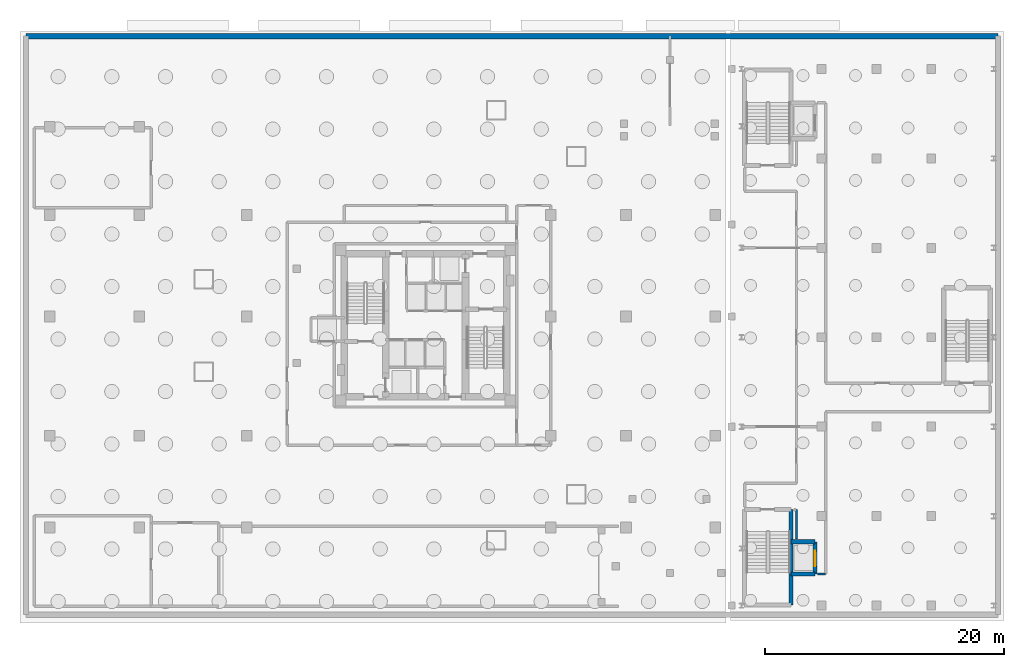
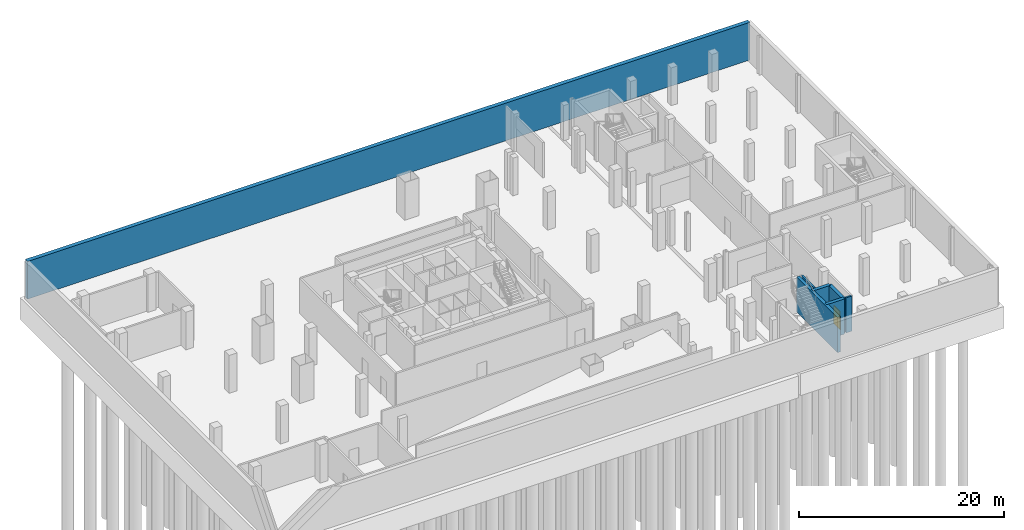
# One storey, part 10 of 15: 7 walls, 1 door, 1 opening.
"""IFC4 building model written with IfcOpenShell, lengths in metres."""

from ifc_helpers import new_model, si_unit, direction, frame, frame_2d, origin, place, context, subcontext, project, spatial, rectangle, extrude, material, layer, layer_set, type_object, element, fill, save


model = new_model("IFC4")

# Units and contexts
model_context = context("Model", 3, precision=1e-05, world=origin(), true_north=direction((0.0, 1.0)))
body_context = subcontext(model_context, "Body", "Model", "MODEL_VIEW")
ifc_project = project(units=[si_unit("LENGTHUNIT", "METRE"), si_unit("AREAUNIT", "SQUARE_METRE"), si_unit("VOLUMEUNIT", "CUBIC_METRE"), si_unit("PLANEANGLEUNIT", "RADIAN"), si_unit("MASSUNIT", "GRAM", prefix="KILO")], contexts=[model_context])

# Site, building, storey
site_placement = place(None, origin())
site = spatial("IfcSite", under=ifc_project, at=site_placement, CompositionType="ELEMENT")
building_placement = place(site_placement, origin())
building = spatial("IfcBuilding", under=site, at=building_placement, Name="Mersakhor Tower and Convention Hall", CompositionType="ELEMENT")
storey_placement = place(building_placement, frame((0.0, 0.0, -9.0)))
storey = spatial("IfcBuildingStorey", under=building, at=storey_placement, Name="B02", CompositionType="ELEMENT", Elevation=-9.0)

# Walls
ifc_material_1 = material(Name="Acoustic concrete blockwork and gypsum board", Category="masonry")
ifc_layer_1 = layer(ifc_material_1, 0.199951171875)
ifc_layer_set_1 = layer_set([ifc_layer_1], Name="Acoustic concrete blockwork and gypsum board")
wall_type_1 = type_object("IfcWallType", Name="WL-PRT-200", PredefinedType="PARTITIONING", material=ifc_layer_set_1)
wall_1_placement = place(storey_placement, frame((62.52001953125, 5.89990234375, 0.0), z_axis=(0.0, 0.0, 1.0), x_axis=(-1.0, 0.0, 0.0)))
element("IfcWall", 1, at=wall_1_placement, inside=storey, type_object=wall_type_1, Name="B02 Interior Partition Wall P-045", PredefinedType="PARTITIONING", context=body_context, shape_type="SweptSolid", body=[
    extrude(rectangle(XDim=0.64501953125, YDim=0.199951171875, at=frame_2d((0.322509765625, 0.0))), origin(), (0.0, 0.0, 1.0), 4.199951171875),
])
wall_2_placement = place(storey_placement, frame((60.10009765625, 8.824951171875, 0.0), z_axis=(0.0, 0.0, 1.0), x_axis=(0.0, 1.0, 0.0)))
element("IfcWall", 2, at=wall_2_placement, inside=storey, type_object=wall_type_1, Name="B02 Interior Partition Wall P-046", PredefinedType="PARTITIONING", context=body_context, shape_type="SweptSolid", body=[
    extrude(rectangle(XDim=2.47509765625, YDim=0.199951171875, at=frame_2d((1.237548828125, 0.0))), origin(), (0.0, 0.0, 1.0), 4.199951171875),
])
ifc_material_2 = material(Name="Concrete C45/55", Category="concrete")
ifc_layer_2 = layer(ifc_material_2, 0.449951171875)
ifc_layer_set_2 = layer_set([ifc_layer_2], Name="Concrete C45/55")
wall_type_2 = type_object("IfcWallType", Name="WL-RET-450", PredefinedType="USERDEFINED", material=ifc_layer_set_2)
wall_3_placement = place(storey_placement, frame((77.0, 51.0, 0.0), z_axis=(0.0, 0.0, 1.0), x_axis=(-1.0, 0.0, 0.0)))
element("IfcWall", 3, at=wall_3_placement, inside=storey, type_object=wall_type_2, Name="B02 Perimeter Retaining Wall N", ObjectType="RETAININGWALL", PredefinedType="USERDEFINED", context=body_context, shape_type="SweptSolid", body=[
    extrude(rectangle(XDim=81.5, YDim=0.449951171875, at=frame_2d((40.75, 0.0))), origin(), (0.0, 0.0, 1.0), 4.5),
])

# Wall, opening, door
ifc_material_3 = material(Name="Concrete C50/60", Category="concrete")
ifc_layer_3 = layer(ifc_material_3, 0.35009765625)
ifc_layer_set_3 = layer_set([ifc_layer_3], Name="Concrete C50/60")
wall_type_3 = type_object("IfcWallType", Name="WL-SHR-350", PredefinedType="SHEAR", material=ifc_layer_set_3)
wall_4_placement = place(storey_placement, frame((61.64990234375, 5.89990234375, 0.0), z_axis=(0.0, 0.0, 1.0), x_axis=(0.0, 1.0, 0.0)))
wall_4 = element("IfcWall", 4, at=wall_4_placement, inside=storey, type_object=wall_type_3, Name="B02 CVL1 Shaft Front Wall", PredefinedType="SHEAR", context=body_context, shape_type="SweptSolid", body=[
    extrude(rectangle(XDim=2.7001953125, YDim=0.35009765625, at=frame_2d((1.35009765625, 0.0))), origin(), (0.0, 0.0, 1.0), 4.199951171875),
])
opening_placement = place(wall_4_placement, frame((0.64990234375, 0.0, 0.0)))
opening = element("IfcOpeningElement", 5, at=opening_placement, cuts=wall_4, Name="Opening LD-CVL1", PredefinedType="OPENING", context=body_context, shape_type="SweptSolid", body=[
    extrude(rectangle(XDim=1.300048828125, YDim=2.199951171875, at=frame_2d((0.64990234375, 1.10009765625))), frame((0.0, 0.18505859375, 0.0), z_axis=(0.0, -1.0, 0.0), x_axis=(1.0, 0.0, 0.0)), (0.0, 0.0, 1.0), 0.3701171875),
])
ifc_material_4 = material(Name="Fire-rated brushed stainless steel sliding landing door", Category="steel")
door_type = type_object("IfcDoorType", Name="DR-LIFT-SLD-130x220", OperationType="NOTDEFINED", PredefinedType="DOOR", material=ifc_material_4)
door_placement = place(opening_placement, origin())
door = element("IfcDoor", 6, at=door_placement, inside=storey, type_object=door_type, Name="B02 Convention Lift Landing Door LD-CVL1", OperationType="SLIDING_TO_LEFT", OverallHeight=2.199951171875, OverallWidth=1.300048828125, PredefinedType="DOOR", context=body_context, shape_type="SweptSolid", body=[
    extrude(rectangle(XDim=1.300048828125, YDim=2.199951171875, at=frame_2d((0.64990234375, 1.10009765625))), frame((0.0, 0.02490234375, 0.0), z_axis=(0.0, -1.0, 0.0), x_axis=(1.0, 0.0, 0.0)), (0.0, 0.0, 1.0), 0.050048828125),
])
fill(opening, door)

# Walls
for number, where, z_axis, x_axis, name in (
    (7, (59.64990234375, 8.60009765625, 0.0), (0.0, 0.0, 1.0), (1.0, 0.0, 0.0), "B02 CVL1 Shaft North Wall"),
    (8, (59.64990234375, 5.89990234375, 0.0), (0.0, 0.0, 1.0), (1.0, 0.0, 0.0), "B02 CVL1 Shaft South Wall"),
):
    element("IfcWall", number, at=place(storey_placement, frame(where, z_axis=z_axis, x_axis=x_axis)), inside=storey, type_object=wall_type_3, Name=name, PredefinedType="SHEAR", context=body_context, shape_type="SweptSolid", body=[
        extrude(rectangle(XDim=2.0, YDim=0.35009765625, at=frame_2d((1.0, 0.0))), origin(), (0.0, 0.0, 1.0), 4.199951171875),
    ])
wall_5_placement = place(storey_placement, frame((59.64990234375, 11.300048828125, 0.0), z_axis=(0.0, 0.0, 1.0), x_axis=(0.0, -1.0, 0.0)))
element("IfcWall", 9, at=wall_5_placement, inside=storey, type_object=wall_type_3, Name="B02 CHST1 East Shear Wall", PredefinedType="SHEAR", context=body_context, shape_type="SweptSolid", body=[
    extrude(rectangle(XDim=8.0, YDim=0.35009765625, at=frame_2d((4.0, 0.0))), origin(), (0.0, 0.0, 1.0), 4.199951171875),
])

save(model, "model.ifc")
